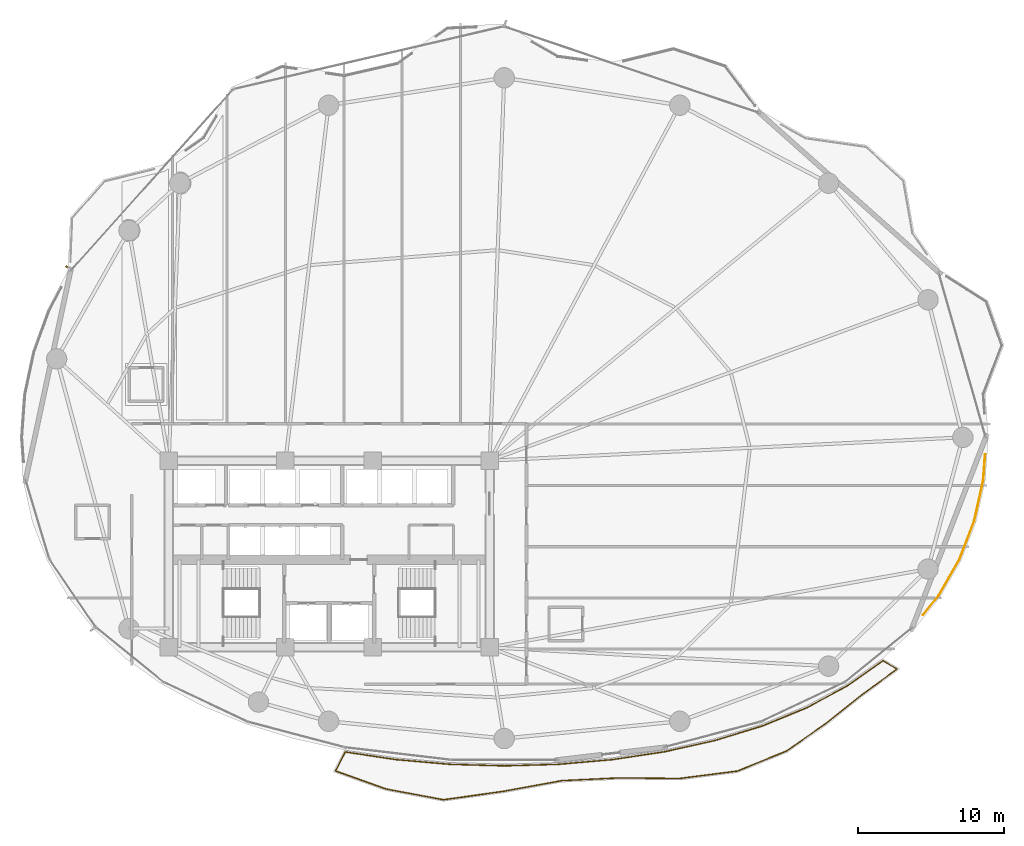
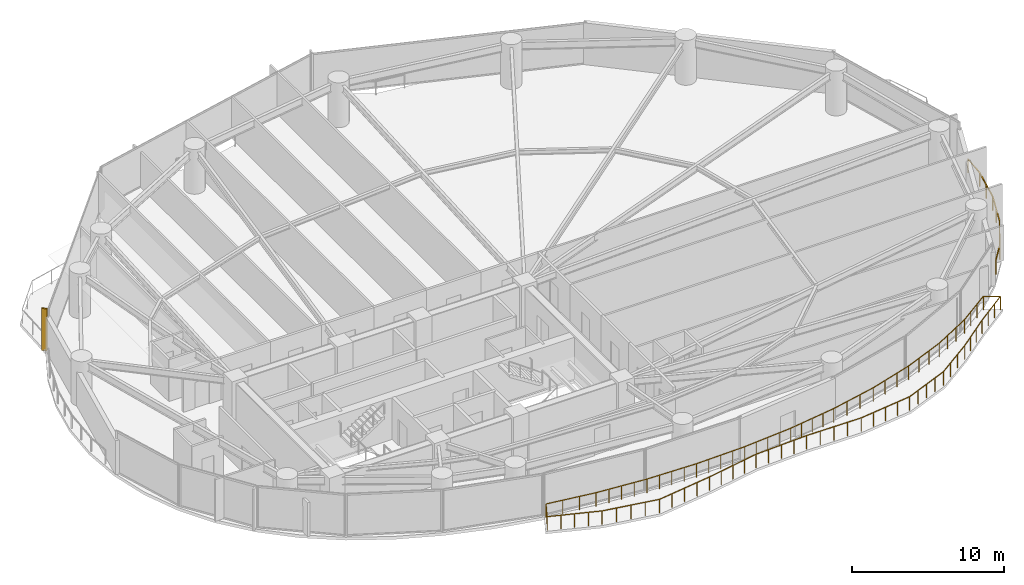
# One storey, part 30 of 31: 2 railings, 1 shading device.
"""IFC4 building model written with IfcOpenShell, lengths in metres."""

from ifc_helpers import new_model, si_unit, direction, frame, origin, origin_2d, place, context, subcontext, project, spatial, rectangle, extrude, material, type_object, element, save


model = new_model("IFC4")

# Units and contexts
model_context = context("Model", 3, precision=1e-05, world=origin(), true_north=direction((0.0, 1.0)))
body_context = subcontext(model_context, "Body", "Model", "MODEL_VIEW")
ifc_project = project(units=[si_unit("LENGTHUNIT", "METRE"), si_unit("AREAUNIT", "SQUARE_METRE"), si_unit("VOLUMEUNIT", "CUBIC_METRE"), si_unit("PLANEANGLEUNIT", "RADIAN"), si_unit("MASSUNIT", "GRAM", prefix="KILO")], contexts=[model_context])

# Site, building, storey
site_placement = place(None, origin())
site = spatial("IfcSite", under=ifc_project, at=site_placement, CompositionType="ELEMENT")
building_placement = place(site_placement, origin())
building = spatial("IfcBuilding", under=site, at=building_placement, Name="Kazevale Care Tower and Concert Hall", CompositionType="ELEMENT")
storey_placement = place(building_placement, frame((0.0, 0.0, 78.0)))
storey = spatial("IfcBuildingStorey", under=building, at=storey_placement, Name="L20", CompositionType="ELEMENT", Elevation=78.0)

# Railings
ifc_material_1 = material(Name="Anodised Bronze Aluminium and Laminated Glass", Category="aluminium")
railing_type = type_object("IfcRailingType", Name="Balcony and Terrace Balustrade 1120", PredefinedType="BALUSTRADE", material=ifc_material_1)
railing_1_placement = place(storey_placement, frame((77.97705078125, 36.833984375, 0.0)))
element("IfcRailing", 1, at=railing_1_placement, inside=storey, type_object=railing_type, Name="rail:L20:perim:10", PredefinedType="BALUSTRADE", context=body_context, shape_type="SweptSolid", body=[
    extrude(rectangle(XDim=0.048095703125, YDim=0.048095703125, at=origin_2d()), frame((0.0, 0.0, 1.09619140625), z_axis=(-0.071286628485, -0.997455872006, 0.0), x_axis=(0.997455872006, -0.071286628485, 0.0)), (0.0, 0.0, 1.0), 1.75341796875),
    extrude(rectangle(XDim=0.048095703125, YDim=0.048095703125, at=origin_2d()), frame((-0.125, -1.7490234375, 1.09619140625), z_axis=(-0.215098010705, -0.976592466585, 0.0), x_axis=(0.976592466585, -0.215098010705, 0.0)), (0.0, 0.0, 1.0), 2.87841796875),
    extrude(rectangle(XDim=0.048095703125, YDim=0.048095703125, at=origin_2d()), frame((-0.744140625, -4.56005859375, 1.09619140625), z_axis=(-0.359784505971, -0.933035427657, 0.0), x_axis=(0.933035427657, -0.359784505971, 0.0)), (0.0, 0.0, 1.0), 2.84326171875),
    extrude(rectangle(XDim=0.048095703125, YDim=0.048095703125, at=origin_2d()), frame((-1.76708984375, -7.212890625, 1.09619140625), z_axis=(-0.498807638719, -0.866712720315, 0.0), x_axis=(0.866712720315, -0.498807638719, 0.0)), (0.0, 0.0, 1.0), 2.8349609375),
    extrude(rectangle(XDim=0.048095703125, YDim=0.048095703125, at=origin_2d()), frame((-3.18115234375, -9.669921875, 1.09619140625), z_axis=(-0.624746863437, -0.780827353917, 0.0), x_axis=(0.780827353917, -0.624746863437, 0.0)), (0.0, 0.0, 1.0), 1.7236328125),
    extrude(rectangle(XDim=0.0419921875, YDim=0.0419921875, at=origin_2d()), origin(), (0.0, 0.0, 1.0), 1.072021484375),
    extrude(rectangle(XDim=0.0419921875, YDim=0.0419921875, at=origin_2d()), frame((-0.125, -1.7490234375, 0.0)), (0.0, 0.0, 1.0), 1.072021484375),
    extrude(rectangle(XDim=0.0419921875, YDim=0.0419921875, at=origin_2d()), frame((-0.4345703125, -3.154541015625, 0.0)), (0.0, 0.0, 1.0), 1.072021484375),
    extrude(rectangle(XDim=0.0419921875, YDim=0.0419921875, at=origin_2d()), frame((-0.744140625, -4.56005859375, 0.0)), (0.0, 0.0, 1.0), 1.072021484375),
    extrude(rectangle(XDim=0.0419921875, YDim=0.0419921875, at=origin_2d()), frame((-1.255615234375, -5.886474609375, 0.0)), (0.0, 0.0, 1.0), 1.072021484375),
    extrude(rectangle(XDim=0.0419921875, YDim=0.0419921875, at=origin_2d()), frame((-1.76708984375, -7.212890625, 0.0)), (0.0, 0.0, 1.0), 1.072021484375),
    extrude(rectangle(XDim=0.0419921875, YDim=0.0419921875, at=origin_2d()), frame((-2.47412109375, -8.44140625, 0.0)), (0.0, 0.0, 1.0), 1.072021484375),
    extrude(rectangle(XDim=0.0419921875, YDim=0.0419921875, at=origin_2d()), frame((-3.18115234375, -9.669921875, 0.0)), (0.0, 0.0, 1.0), 1.072021484375),
    extrude(rectangle(XDim=0.0419921875, YDim=0.0419921875, at=origin_2d()), frame((-4.258056640625, -11.015869140625, 0.0)), (0.0, 0.0, 1.0), 1.072021484375),
])
railing_2_placement = place(storey_placement, frame((34.10009765625, 16.427978515625, 0.0)))
element("IfcRailing", 2, at=railing_2_placement, inside=storey, type_object=railing_type, Name="rail:L20:balcony", PredefinedType="BALUSTRADE", context=body_context, shape_type="SweptSolid", body=[
    extrude(rectangle(XDim=0.048095703125, YDim=0.048095703125, at=origin_2d()), frame((0.0, 0.0, 1.09619140625), z_axis=(0.988835380671, -0.149012046267, 0.0), x_axis=(0.149012046267, 0.988835380671, 0.0)), (0.0, 0.0, 1.0), 3.537353515625),
    extrude(rectangle(XDim=0.048095703125, YDim=0.048095703125, at=origin_2d()), frame((3.497802734375, -0.527099609375, 1.09619140625), z_axis=(0.996240588196, -0.086629616365, 0.0), x_axis=(0.086629616365, 0.996240588196, 0.0)), (0.0, 0.0, 1.0), 3.69189453125),
    extrude(rectangle(XDim=0.048095703125, YDim=0.048095703125, at=origin_2d()), frame((7.17578125, -0.846923828125, 1.09619140625), z_axis=(0.999595500109, -0.02844004504, 0.0), x_axis=(0.02844004504, 0.999595500109, 0.0)), (0.0, 0.0, 1.0), 3.7255859375),
    extrude(rectangle(XDim=0.048095703125, YDim=0.048095703125, at=origin_2d()), frame((10.89990234375, -0.952880859375, 1.09619140625), z_axis=(0.999595500109, 0.02844004504, 0.0), x_axis=(-0.02844004504, 0.999595500109, 0.0)), (0.0, 0.0, 1.0), 3.7255859375),
    extrude(rectangle(XDim=0.048095703125, YDim=0.048095703125, at=origin_2d()), frame((14.6240234375, -0.846923828125, 1.09619140625), z_axis=(0.996240588196, 0.086629616365, 0.0), x_axis=(-0.086629616365, 0.996240588196, 0.0)), (0.0, 0.0, 1.0), 3.69189453125),
    extrude(rectangle(XDim=0.048095703125, YDim=0.048095703125, at=origin_2d()), frame((18.302001953125, -0.527099609375, 1.09619140625), z_axis=(0.988849271471, 0.148919838541, 0.0), x_axis=(-0.148919838541, 0.988849271471, 0.0)), (0.0, 0.0, 1.0), 3.62646484375),
    extrude(rectangle(XDim=0.048095703125, YDim=0.048095703125, at=origin_2d()), frame((21.887939453125, 0.012939453125, 1.09619140625), z_axis=(0.976148024322, 0.217106044625, 0.0), x_axis=(-0.217106044625, 0.976148024322, 0.0)), (0.0, 0.0, 1.0), 3.533203125),
    extrude(rectangle(XDim=0.048095703125, YDim=0.048095703125, at=origin_2d()), frame((25.3369140625, 0.780029296875, 1.09619140625), z_axis=(0.95593940193, 0.293564064282, 0.0), x_axis=(-0.293564064282, 0.95593940193, 0.0)), (0.0, 0.0, 1.0), 3.419677734375),
    extrude(rectangle(XDim=0.048095703125, YDim=0.048095703125, at=origin_2d()), frame((28.60595703125, 1.783935546875, 1.09619140625), z_axis=(0.925168618375, 0.379556356256, 0.0), x_axis=(-0.379556356256, 0.925168618375, 0.0)), (0.0, 0.0, 1.0), 3.293212890625),
    extrude(rectangle(XDim=0.048095703125, YDim=0.048095703125, at=origin_2d()), frame((31.65283203125, 3.033935546875, 1.09619140625), z_axis=(0.880032904554, 0.474912715036, 0.0), x_axis=(-0.474912715036, 0.880032904554, 0.0)), (0.0, 0.0, 1.0), 3.169189453125),
    extrude(rectangle(XDim=0.048095703125, YDim=0.048095703125, at=origin_2d()), frame((34.44189453125, 4.5390625, 1.09619140625), z_axis=(0.816594193991, 0.577212198711, 0.0), x_axis=(-0.577212198711, 0.816594193991, 0.0)), (0.0, 0.0, 1.0), 2.970947265625),
    extrude(rectangle(XDim=0.048095703125, YDim=0.048095703125, at=origin_2d()), frame((36.867919921875, 6.25390625, 1.09619140625), z_axis=(0.863046741368, -0.505124066161, 0.0), x_axis=(0.505124066161, 0.863046741368, 0.0)), (0.0, 0.0, 1.0), 1.126220703125),
    extrude(rectangle(XDim=0.048095703125, YDim=0.048095703125, at=origin_2d()), frame((37.83984375, 5.68505859375, 1.09619140625), z_axis=(-0.807377618085, -0.590035068293, 0.0), x_axis=(0.590035068293, -0.807377618085, 0.0)), (0.0, 0.0, 1.0), 2.981201171875),
    extrude(rectangle(XDim=0.048095703125, YDim=0.048095703125, at=origin_2d()), frame((35.432861328125, 3.926025390625, 1.09619140625), z_axis=(-0.781254144286, -0.624213074227, 0.0), x_axis=(0.624213074227, -0.781254144286, 0.0)), (0.0, 0.0, 1.0), 3.151123046875),
    extrude(rectangle(XDim=0.048095703125, YDim=0.048095703125, at=origin_2d()), frame((32.970947265625, 1.958984375, 1.09619140625), z_axis=(-0.820126954301, -0.572181596024, 0.0), x_axis=(0.572181596024, -0.820126954301, 0.0)), (0.0, 0.0, 1.0), 3.3154296875),
    extrude(rectangle(XDim=0.048095703125, YDim=0.048095703125, at=origin_2d()), frame((30.251953125, 0.06201171875, 1.09619140625), z_axis=(-0.92587696991, -0.37782514023, 0.0), x_axis=(0.37782514023, -0.92587696991, 0.0)), (0.0, 0.0, 1.0), 3.625732421875),
    extrude(rectangle(XDim=0.048095703125, YDim=0.048095703125, at=origin_2d()), frame((26.89501953125, -1.307861328125, 1.09619140625), z_axis=(-0.991835115053, -0.127526877743, 0.0), x_axis=(0.127526877743, -0.991835115053, 0.0)), (0.0, 0.0, 1.0), 4.0087890625),
    extrude(rectangle(XDim=0.048095703125, YDim=0.048095703125, at=origin_2d()), frame((22.9189453125, -1.819091796875, 1.09619140625), z_axis=(-0.999950716175, 0.00992800191, 0.0), x_axis=(-0.00992800191, -0.999950716175, 0.0)), (0.0, 0.0, 1.0), 4.13134765625),
    extrude(rectangle(XDim=0.048095703125, YDim=0.048095703125, at=origin_2d()), frame((18.787841796875, -1.778076171875, 1.09619140625), z_axis=(-0.99884993962, -0.047945783133, 0.0), x_axis=(0.047945783133, -0.99884993962, 0.0)), (0.0, 0.0, 1.0), 3.961669921875),
    extrude(rectangle(XDim=0.048095703125, YDim=0.048095703125, at=origin_2d()), frame((14.830810546875, -1.968017578125, 1.09619140625), z_axis=(-0.983575811485, -0.180495493189, 0.0), x_axis=(0.180495493189, -0.983575811485, 0.0)), (0.0, 0.0, 1.0), 4.015869140625),
    extrude(rectangle(XDim=0.048095703125, YDim=0.048095703125, at=origin_2d()), frame((10.880859375, -2.69287109375, 1.09619140625), z_axis=(-0.990197760365, -0.139672457445, 0.0), x_axis=(0.139672457445, -0.990197760365, 0.0)), (0.0, 0.0, 1.0), 4.182861328125),
    extrude(rectangle(XDim=0.048095703125, YDim=0.048095703125, at=origin_2d()), frame((6.739013671875, -3.277099609375, 1.09619140625), z_axis=(-0.982907912053, 0.184097899021, 0.0), x_axis=(-0.184097899021, -0.982907912053, 0.0)), (0.0, 0.0, 1.0), 4.020751953125),
    extrude(rectangle(XDim=0.048095703125, YDim=0.048095703125, at=origin_2d()), frame((2.786865234375, -2.536865234375, 1.09619140625), z_axis=(-0.941396457591, 0.337302104403, 0.0), x_axis=(-0.337302104403, -0.941396457591, 0.0)), (0.0, 0.0, 1.0), 3.666748046875),
    extrude(rectangle(XDim=0.048095703125, YDim=0.048095703125, at=origin_2d()), frame((-0.6650390625, -1.300048828125, 1.09619140625), z_axis=(0.455420336831, 0.890276539509, 0.0), x_axis=(-0.890276539509, 0.455420336831, 0.0)), (0.0, 0.0, 1.0), 1.460205078125),
    extrude(rectangle(XDim=0.0419921875, YDim=0.0419921875, at=origin_2d()), origin(), (0.0, 0.0, 1.0), 1.072021484375),
    extrude(rectangle(XDim=0.0419921875, YDim=0.0419921875, at=origin_2d()), frame((1.166015625, -0.17578125, 0.0)), (0.0, 0.0, 1.0), 1.072021484375),
    extrude(rectangle(XDim=0.0419921875, YDim=0.0419921875, at=origin_2d()), frame((2.331787109375, -0.351318359375, 0.0)), (0.0, 0.0, 1.0), 1.072021484375),
    extrude(rectangle(XDim=0.0419921875, YDim=0.0419921875, at=origin_2d()), frame((3.497802734375, -0.527099609375, 0.0)), (0.0, 0.0, 1.0), 1.072021484375),
    extrude(rectangle(XDim=0.0419921875, YDim=0.0419921875, at=origin_2d()), frame((4.417236328125, -0.60693359375, 0.0)), (0.0, 0.0, 1.0), 1.072021484375),
    extrude(rectangle(XDim=0.0419921875, YDim=0.0419921875, at=origin_2d()), frame((5.3369140625, -0.68701171875, 0.0)), (0.0, 0.0, 1.0), 1.072021484375),
    extrude(rectangle(XDim=0.0419921875, YDim=0.0419921875, at=origin_2d()), frame((6.25634765625, -0.76708984375, 0.0)), (0.0, 0.0, 1.0), 1.072021484375),
    extrude(rectangle(XDim=0.0419921875, YDim=0.0419921875, at=origin_2d()), frame((7.17578125, -0.846923828125, 0.0)), (0.0, 0.0, 1.0), 1.072021484375),
    extrude(rectangle(XDim=0.0419921875, YDim=0.0419921875, at=origin_2d()), frame((8.10693359375, -0.87353515625, 0.0)), (0.0, 0.0, 1.0), 1.072021484375),
    extrude(rectangle(XDim=0.0419921875, YDim=0.0419921875, at=origin_2d()), frame((9.037841796875, -0.89990234375, 0.0)), (0.0, 0.0, 1.0), 1.072021484375),
    extrude(rectangle(XDim=0.0419921875, YDim=0.0419921875, at=origin_2d()), frame((9.96875, -0.92626953125, 0.0)), (0.0, 0.0, 1.0), 1.072021484375),
    extrude(rectangle(XDim=0.0419921875, YDim=0.0419921875, at=origin_2d()), frame((10.89990234375, -0.952880859375, 0.0)), (0.0, 0.0, 1.0), 1.072021484375),
    extrude(rectangle(XDim=0.0419921875, YDim=0.0419921875, at=origin_2d()), frame((11.8310546875, -0.92626953125, 0.0)), (0.0, 0.0, 1.0), 1.072021484375),
    extrude(rectangle(XDim=0.0419921875, YDim=0.0419921875, at=origin_2d()), frame((12.761962890625, -0.89990234375, 0.0)), (0.0, 0.0, 1.0), 1.072021484375),
    extrude(rectangle(XDim=0.0419921875, YDim=0.0419921875, at=origin_2d()), frame((13.69287109375, -0.87353515625, 0.0)), (0.0, 0.0, 1.0), 1.072021484375),
    extrude(rectangle(XDim=0.0419921875, YDim=0.0419921875, at=origin_2d()), frame((14.6240234375, -0.846923828125, 0.0)), (0.0, 0.0, 1.0), 1.072021484375),
    extrude(rectangle(XDim=0.0419921875, YDim=0.0419921875, at=origin_2d()), frame((15.54345703125, -0.76708984375, 0.0)), (0.0, 0.0, 1.0), 1.072021484375),
    extrude(rectangle(XDim=0.0419921875, YDim=0.0419921875, at=origin_2d()), frame((16.462890625, -0.68701171875, 0.0)), (0.0, 0.0, 1.0), 1.072021484375),
    extrude(rectangle(XDim=0.0419921875, YDim=0.0419921875, at=origin_2d()), frame((17.382568359375, -0.60693359375, 0.0)), (0.0, 0.0, 1.0), 1.072021484375),
    extrude(rectangle(XDim=0.0419921875, YDim=0.0419921875, at=origin_2d()), frame((18.302001953125, -0.527099609375, 0.0)), (0.0, 0.0, 1.0), 1.072021484375),
    extrude(rectangle(XDim=0.0419921875, YDim=0.0419921875, at=origin_2d()), frame((19.198486328125, -0.39208984375, 0.0)), (0.0, 0.0, 1.0), 1.072021484375),
    extrude(rectangle(XDim=0.0419921875, YDim=0.0419921875, at=origin_2d()), frame((20.094970703125, -0.257080078125, 0.0)), (0.0, 0.0, 1.0), 1.072021484375),
    extrude(rectangle(XDim=0.0419921875, YDim=0.0419921875, at=origin_2d()), frame((20.991455078125, -0.1220703125, 0.0)), (0.0, 0.0, 1.0), 1.072021484375),
    extrude(rectangle(XDim=0.0419921875, YDim=0.0419921875, at=origin_2d()), frame((21.887939453125, 0.012939453125, 0.0)), (0.0, 0.0, 1.0), 1.072021484375),
    extrude(rectangle(XDim=0.0419921875, YDim=0.0419921875, at=origin_2d()), frame((23.03759765625, 0.2685546875, 0.0)), (0.0, 0.0, 1.0), 1.072021484375),
    extrude(rectangle(XDim=0.0419921875, YDim=0.0419921875, at=origin_2d()), frame((24.187255859375, 0.5244140625, 0.0)), (0.0, 0.0, 1.0), 1.072021484375),
    extrude(rectangle(XDim=0.0419921875, YDim=0.0419921875, at=origin_2d()), frame((25.3369140625, 0.780029296875, 0.0)), (0.0, 0.0, 1.0), 1.072021484375),
    extrude(rectangle(XDim=0.0419921875, YDim=0.0419921875, at=origin_2d()), frame((26.426513671875, 1.11474609375, 0.0)), (0.0, 0.0, 1.0), 1.072021484375),
    extrude(rectangle(XDim=0.0419921875, YDim=0.0419921875, at=origin_2d()), frame((27.516357421875, 1.44921875, 0.0)), (0.0, 0.0, 1.0), 1.072021484375),
    extrude(rectangle(XDim=0.0419921875, YDim=0.0419921875, at=origin_2d()), frame((28.60595703125, 1.783935546875, 0.0)), (0.0, 0.0, 1.0), 1.072021484375),
    extrude(rectangle(XDim=0.0419921875, YDim=0.0419921875, at=origin_2d()), frame((29.62158203125, 2.20068359375, 0.0)), (0.0, 0.0, 1.0), 1.072021484375),
    extrude(rectangle(XDim=0.0419921875, YDim=0.0419921875, at=origin_2d()), frame((30.63720703125, 2.6171875, 0.0)), (0.0, 0.0, 1.0), 1.072021484375),
    extrude(rectangle(XDim=0.0419921875, YDim=0.0419921875, at=origin_2d()), frame((31.65283203125, 3.033935546875, 0.0)), (0.0, 0.0, 1.0), 1.072021484375),
    extrude(rectangle(XDim=0.0419921875, YDim=0.0419921875, at=origin_2d()), frame((32.58251953125, 3.53564453125, 0.0)), (0.0, 0.0, 1.0), 1.072021484375),
    extrude(rectangle(XDim=0.0419921875, YDim=0.0419921875, at=origin_2d()), frame((33.51220703125, 4.037353515625, 0.0)), (0.0, 0.0, 1.0), 1.072021484375),
    extrude(rectangle(XDim=0.0419921875, YDim=0.0419921875, at=origin_2d()), frame((34.44189453125, 4.5390625, 0.0)), (0.0, 0.0, 1.0), 1.072021484375),
    extrude(rectangle(XDim=0.0419921875, YDim=0.0419921875, at=origin_2d()), frame((35.25048828125, 5.110595703125, 0.0)), (0.0, 0.0, 1.0), 1.072021484375),
    extrude(rectangle(XDim=0.0419921875, YDim=0.0419921875, at=origin_2d()), frame((36.059326171875, 5.682373046875, 0.0)), (0.0, 0.0, 1.0), 1.072021484375),
    extrude(rectangle(XDim=0.0419921875, YDim=0.0419921875, at=origin_2d()), frame((36.867919921875, 6.25390625, 0.0)), (0.0, 0.0, 1.0), 1.072021484375),
    extrude(rectangle(XDim=0.0419921875, YDim=0.0419921875, at=origin_2d()), frame((37.83984375, 5.68505859375, 0.0)), (0.0, 0.0, 1.0), 1.072021484375),
    extrude(rectangle(XDim=0.0419921875, YDim=0.0419921875, at=origin_2d()), frame((37.03759765625, 5.0986328125, 0.0)), (0.0, 0.0, 1.0), 1.072021484375),
    extrude(rectangle(XDim=0.0419921875, YDim=0.0419921875, at=origin_2d()), frame((36.235107421875, 4.512451171875, 0.0)), (0.0, 0.0, 1.0), 1.072021484375),
    extrude(rectangle(XDim=0.0419921875, YDim=0.0419921875, at=origin_2d()), frame((35.432861328125, 3.926025390625, 0.0)), (0.0, 0.0, 1.0), 1.072021484375),
    extrude(rectangle(XDim=0.0419921875, YDim=0.0419921875, at=origin_2d()), frame((34.6123046875, 3.270263671875, 0.0)), (0.0, 0.0, 1.0), 1.072021484375),
    extrude(rectangle(XDim=0.0419921875, YDim=0.0419921875, at=origin_2d()), frame((33.79150390625, 2.61474609375, 0.0)), (0.0, 0.0, 1.0), 1.072021484375),
    extrude(rectangle(XDim=0.0419921875, YDim=0.0419921875, at=origin_2d()), frame((32.970947265625, 1.958984375, 0.0)), (0.0, 0.0, 1.0), 1.072021484375),
    extrude(rectangle(XDim=0.0419921875, YDim=0.0419921875, at=origin_2d()), frame((32.064697265625, 1.32666015625, 0.0)), (0.0, 0.0, 1.0), 1.072021484375),
    extrude(rectangle(XDim=0.0419921875, YDim=0.0419921875, at=origin_2d()), frame((31.158203125, 0.6943359375, 0.0)), (0.0, 0.0, 1.0), 1.072021484375),
    extrude(rectangle(XDim=0.0419921875, YDim=0.0419921875, at=origin_2d()), frame((30.251953125, 0.06201171875, 0.0)), (0.0, 0.0, 1.0), 1.072021484375),
    extrude(rectangle(XDim=0.0419921875, YDim=0.0419921875, at=origin_2d()), frame((29.41259765625, -0.280517578125, 0.0)), (0.0, 0.0, 1.0), 1.072021484375),
    extrude(rectangle(XDim=0.0419921875, YDim=0.0419921875, at=origin_2d()), frame((28.573486328125, -0.623046875, 0.0)), (0.0, 0.0, 1.0), 1.072021484375),
    extrude(rectangle(XDim=0.0419921875, YDim=0.0419921875, at=origin_2d()), frame((27.734375, -0.96533203125, 0.0)), (0.0, 0.0, 1.0), 1.072021484375),
    extrude(rectangle(XDim=0.0419921875, YDim=0.0419921875, at=origin_2d()), frame((26.89501953125, -1.307861328125, 0.0)), (0.0, 0.0, 1.0), 1.072021484375),
    extrude(rectangle(XDim=0.0419921875, YDim=0.0419921875, at=origin_2d()), frame((25.90087890625, -1.435546875, 0.0)), (0.0, 0.0, 1.0), 1.072021484375),
    extrude(rectangle(XDim=0.0419921875, YDim=0.0419921875, at=origin_2d()), frame((24.906982421875, -1.5634765625, 0.0)), (0.0, 0.0, 1.0), 1.072021484375),
    extrude(rectangle(XDim=0.0419921875, YDim=0.0419921875, at=origin_2d()), frame((23.9130859375, -1.69140625, 0.0)), (0.0, 0.0, 1.0), 1.072021484375),
    extrude(rectangle(XDim=0.0419921875, YDim=0.0419921875, at=origin_2d()), frame((22.9189453125, -1.819091796875, 0.0)), (0.0, 0.0, 1.0), 1.072021484375),
    extrude(rectangle(XDim=0.0419921875, YDim=0.0419921875, at=origin_2d()), frame((21.88623046875, -1.808837890625, 0.0)), (0.0, 0.0, 1.0), 1.072021484375),
    extrude(rectangle(XDim=0.0419921875, YDim=0.0419921875, at=origin_2d()), frame((20.853515625, -1.798583984375, 0.0)), (0.0, 0.0, 1.0), 1.072021484375),
    extrude(rectangle(XDim=0.0419921875, YDim=0.0419921875, at=origin_2d()), frame((19.820556640625, -1.788330078125, 0.0)), (0.0, 0.0, 1.0), 1.072021484375),
    extrude(rectangle(XDim=0.0419921875, YDim=0.0419921875, at=origin_2d()), frame((18.787841796875, -1.778076171875, 0.0)), (0.0, 0.0, 1.0), 1.072021484375),
    extrude(rectangle(XDim=0.0419921875, YDim=0.0419921875, at=origin_2d()), frame((17.798583984375, -1.82568359375, 0.0)), (0.0, 0.0, 1.0), 1.072021484375),
    extrude(rectangle(XDim=0.0419921875, YDim=0.0419921875, at=origin_2d()), frame((16.809326171875, -1.873046875, 0.0)), (0.0, 0.0, 1.0), 1.072021484375),
    extrude(rectangle(XDim=0.0419921875, YDim=0.0419921875, at=origin_2d()), frame((15.820068359375, -1.92041015625, 0.0)), (0.0, 0.0, 1.0), 1.072021484375),
    extrude(rectangle(XDim=0.0419921875, YDim=0.0419921875, at=origin_2d()), frame((14.830810546875, -1.968017578125, 0.0)), (0.0, 0.0, 1.0), 1.072021484375),
    extrude(rectangle(XDim=0.0419921875, YDim=0.0419921875, at=origin_2d()), frame((13.84326171875, -2.149169921875, 0.0)), (0.0, 0.0, 1.0), 1.072021484375),
    extrude(rectangle(XDim=0.0419921875, YDim=0.0419921875, at=origin_2d()), frame((12.85595703125, -2.33056640625, 0.0)), (0.0, 0.0, 1.0), 1.072021484375),
    extrude(rectangle(XDim=0.0419921875, YDim=0.0419921875, at=origin_2d()), frame((11.868408203125, -2.51171875, 0.0)), (0.0, 0.0, 1.0), 1.072021484375),
    extrude(rectangle(XDim=0.0419921875, YDim=0.0419921875, at=origin_2d()), frame((10.880859375, -2.69287109375, 0.0)), (0.0, 0.0, 1.0), 1.072021484375),
    extrude(rectangle(XDim=0.0419921875, YDim=0.0419921875, at=origin_2d()), frame((9.845458984375, -2.8388671875, 0.0)), (0.0, 0.0, 1.0), 1.072021484375),
    extrude(rectangle(XDim=0.0419921875, YDim=0.0419921875, at=origin_2d()), frame((8.81005859375, -2.98486328125, 0.0)), (0.0, 0.0, 1.0), 1.072021484375),
    extrude(rectangle(XDim=0.0419921875, YDim=0.0419921875, at=origin_2d()), frame((7.7744140625, -3.131103515625, 0.0)), (0.0, 0.0, 1.0), 1.072021484375),
    extrude(rectangle(XDim=0.0419921875, YDim=0.0419921875, at=origin_2d()), frame((6.739013671875, -3.277099609375, 0.0)), (0.0, 0.0, 1.0), 1.072021484375),
    extrude(rectangle(XDim=0.0419921875, YDim=0.0419921875, at=origin_2d()), frame((5.7509765625, -3.092041015625, 0.0)), (0.0, 0.0, 1.0), 1.072021484375),
    extrude(rectangle(XDim=0.0419921875, YDim=0.0419921875, at=origin_2d()), frame((4.762939453125, -2.906982421875, 0.0)), (0.0, 0.0, 1.0), 1.072021484375),
    extrude(rectangle(XDim=0.0419921875, YDim=0.0419921875, at=origin_2d()), frame((3.77490234375, -2.721923828125, 0.0)), (0.0, 0.0, 1.0), 1.072021484375),
    extrude(rectangle(XDim=0.0419921875, YDim=0.0419921875, at=origin_2d()), frame((2.786865234375, -2.536865234375, 0.0)), (0.0, 0.0, 1.0), 1.072021484375),
    extrude(rectangle(XDim=0.0419921875, YDim=0.0419921875, at=origin_2d()), frame((1.923828125, -2.2275390625, 0.0)), (0.0, 0.0, 1.0), 1.072021484375),
    extrude(rectangle(XDim=0.0419921875, YDim=0.0419921875, at=origin_2d()), frame((1.06103515625, -1.91845703125, 0.0)), (0.0, 0.0, 1.0), 1.072021484375),
    extrude(rectangle(XDim=0.0419921875, YDim=0.0419921875, at=origin_2d()), frame((0.197998046875, -1.609375, 0.0)), (0.0, 0.0, 1.0), 1.072021484375),
    extrude(rectangle(XDim=0.0419921875, YDim=0.0419921875, at=origin_2d()), frame((-0.6650390625, -1.300048828125, 0.0)), (0.0, 0.0, 1.0), 1.072021484375),
    extrude(rectangle(XDim=0.0419921875, YDim=0.0419921875, at=origin_2d()), frame((-0.33251953125, -0.64990234375, 0.0)), (0.0, 0.0, 1.0), 1.072021484375),
])

# Shading device
ifc_material_2 = material(Name="Honed Ochre Limestone", Category="masonry")
shading_device_type = type_object("IfcShadingDeviceType", Name="Vertical Honed Limestone Fin FIN-01", PredefinedType="USERDEFINED", material=ifc_material_2)
shading_device_placement = place(storey_placement, frame((15.087158203125, 49.62109375, 0.0), z_axis=(0.0, 0.0, 1.0), x_axis=(-0.744777599887, 0.667312765281, 0.0)))
element("IfcShadingDevice", 3, at=shading_device_placement, inside=storey, type_object=shading_device_type, Name="cw:L20:f14:fin", ObjectType="FIN", PredefinedType="USERDEFINED", context=body_context, shape_type="SweptSolid", body=[
    extrude(rectangle(XDim=0.3798828125, YDim=0.1201171875, at=origin_2d()), origin(), (0.0, 0.0, 1.0), 3.360107421875),
])

save(model, "model.ifc")
